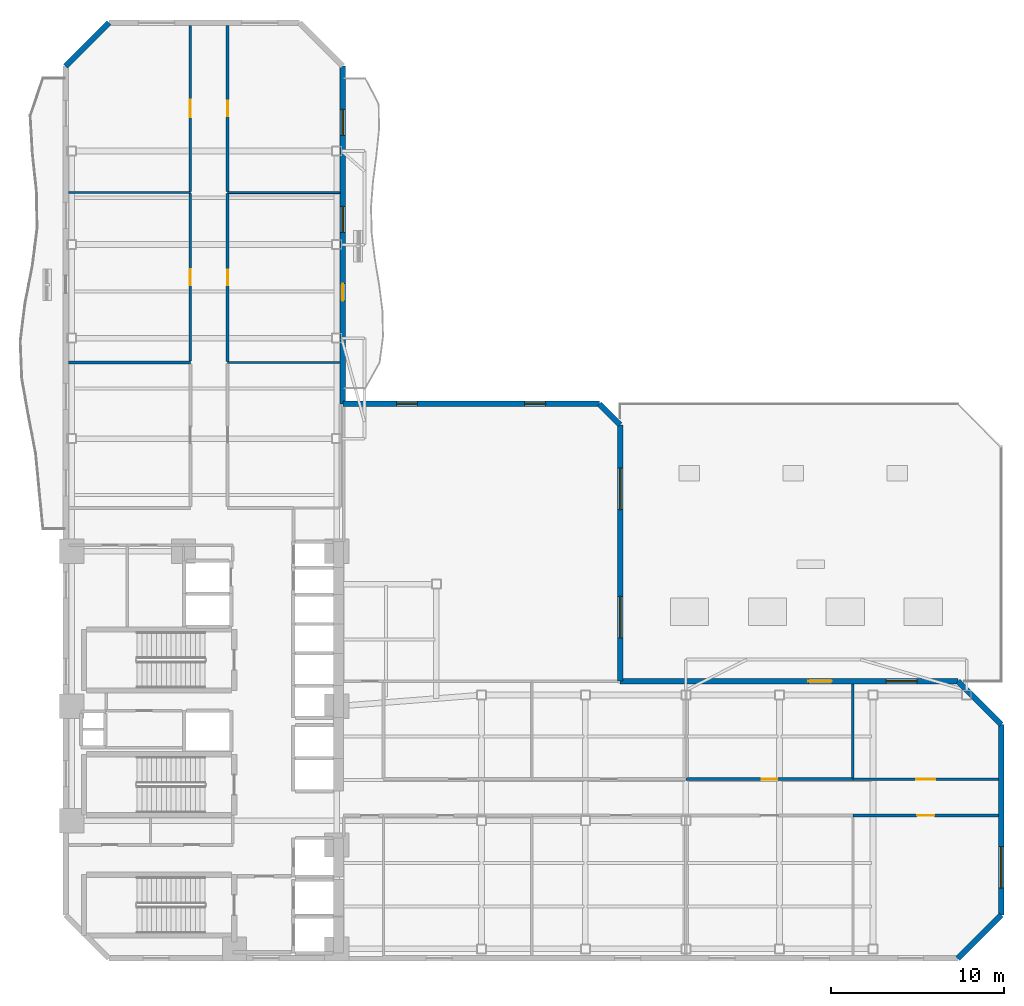
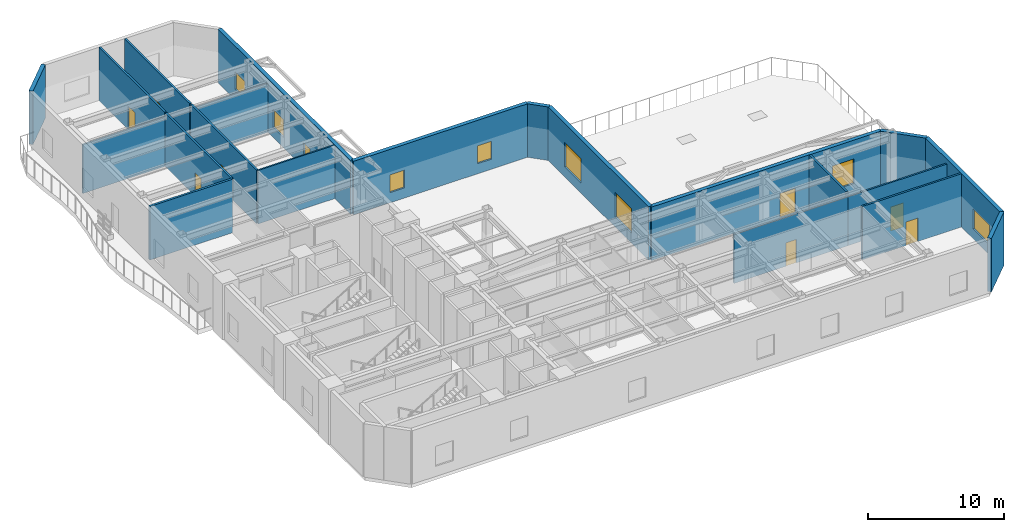
# One storey, part 6 of 10: 21 walls, 9 doors, 8 windows, 17 openings.
"""IFC4 building model written with IfcOpenShell, lengths in metres."""

from ifc_helpers import new_model, si_unit, direction, frame, frame_2d, origin, place, context, subcontext, project, spatial, rectangle, extrude, material, layer, layer_set, type_object, element, fill, save


model = new_model("IFC4")

# Units and contexts
model_context = context("Model", 3, precision=1e-05, world=origin(), true_north=direction((0.0, 1.0)))
body_context = subcontext(model_context, "Body", "Model", "MODEL_VIEW")
ifc_project = project(units=[si_unit("LENGTHUNIT", "METRE"), si_unit("AREAUNIT", "SQUARE_METRE"), si_unit("VOLUMEUNIT", "CUBIC_METRE"), si_unit("PLANEANGLEUNIT", "RADIAN"), si_unit("MASSUNIT", "GRAM", prefix="KILO")], contexts=[model_context])

# Site, building, storey
site_placement = place(None, origin())
site = spatial("IfcSite", under=ifc_project, at=site_placement, CompositionType="ELEMENT")
building_placement = place(site_placement, origin())
building = spatial("IfcBuilding", under=site, at=building_placement, Name="Mawjaban Terraces University", CompositionType="ELEMENT")
storey_placement = place(building_placement, frame((0.0, 0.0, 26.0)))
storey = spatial("IfcBuildingStorey", under=building, at=storey_placement, Name="L05", CompositionType="ELEMENT", Elevation=26.0)

# Wall
ifc_material_1 = material(Name="Acoustic masonry blockwork", Category="masonry")
ifc_layer_1 = layer(ifc_material_1, 0.179931640625)
ifc_layer_set_1 = layer_set([ifc_layer_1], Name="Acoustic masonry blockwork")
wall_type_1 = type_object("IfcWallType", Name="AcousticStudioWall_180", PredefinedType="PARTITIONING", material=ifc_layer_set_1)
wall_1_placement = place(storey_placement, frame((29.199951171875, 34.39990234375, 0.0), z_axis=(0.0, 0.0, 1.0), x_axis=(-1.0, 0.0, 0.0)))
element("IfcWall", 1, at=wall_1_placement, inside=storey, type_object=wall_type_1, Name="L05 Design Studio 10 Partition 8", PredefinedType="PARTITIONING", context=body_context, shape_type="SweptSolid", body=[
    extrude(rectangle(XDim=7.044921875, YDim=0.179931640625, at=frame_2d((3.5224609375, 0.0))), origin(), (0.0, 0.0, 1.0), 4.7900390625),
])

# Wall, opening, door
ifc_material_2 = material(Name="Fire-rated gypsum board on steel stud", Category="steel")
ifc_layer_2 = layer(ifc_material_2, 0.159912109375)
ifc_layer_set_2 = layer_set([ifc_layer_2], Name="Fire-rated gypsum board on steel stud")
wall_type_2 = type_object("IfcWallType", Name="CorridorPartition_160", PredefinedType="PARTITIONING", material=ifc_layer_set_2)
wall_2_placement = place(storey_placement, frame((67.43994140625, 8.25, 0.0), z_axis=(0.0, 0.0, 1.0), x_axis=(1.0, 0.0, 0.0)))
wall_2 = element("IfcWall", 2, at=wall_2_placement, inside=storey, type_object=wall_type_2, Name="L05 East Academic Spine Corridor Partition 26", PredefinedType="PARTITIONING", context=body_context, shape_type="SweptSolid", body=[
    extrude(rectangle(XDim=8.405029296875, YDim=0.159912109375, at=frame_2d((4.20263671875, 0.0))), origin(), (0.0, 0.0, 1.0), 4.7900390625),
])
opening_1_placement = place(wall_2_placement, frame((3.702880859375, 0.0, 0.0)))
opening_1 = element("IfcOpeningElement", 3, at=opening_1_placement, cuts=wall_2, Name="Opening ID-100", PredefinedType="OPENING", context=body_context, shape_type="SweptSolid", body=[
    extrude(rectangle(XDim=1.0, YDim=2.10009765625, at=frame_2d((0.5, 1.050048828125))), frame((0.0, 0.08984375, 0.0), z_axis=(0.0, -1.0, 0.0), x_axis=(1.0, 0.0, 0.0)), (0.0, 0.0, 1.0), 0.179931640625),
])
ifc_material_3 = material(Name="Powder-coated steel frame and solid acoustic timber leaf", Category="steel")
door_type_1 = type_object("IfcDoorType", Name="ClassroomDoor_1000x2100", OperationType="NOTDEFINED", PredefinedType="DOOR", material=ifc_material_3)
door_1_placement = place(opening_1_placement, origin())
door_1 = element("IfcDoor", 4, at=door_1_placement, inside=storey, type_object=door_type_1, Name="L05 Classroom 8 Door", OperationType="SINGLE_SWING_LEFT", OverallHeight=2.10009765625, OverallWidth=1.0, PredefinedType="DOOR", context=body_context, shape_type="SweptSolid", body=[
    extrude(rectangle(XDim=1.0, YDim=2.10009765625, at=frame_2d((0.5, 1.050048828125))), frame((0.0, 0.02490234375, 0.0), z_axis=(0.0, -1.0, 0.0), x_axis=(1.0, 0.0, 0.0)), (0.0, 0.0, 1.0), 0.050048828125),
])
fill(opening_1, door_1)

wall_3_placement = place(storey_placement, frame((67.43994140625, 10.35009765625, 0.0), z_axis=(0.0, 0.0, 1.0), x_axis=(-1.0, 0.0, 0.0)))
wall_3 = element("IfcWall", 5, at=wall_3_placement, inside=storey, type_object=wall_type_2, Name="L05 East Academic Spine Corridor Partition 27", PredefinedType="PARTITIONING", context=body_context, shape_type="SweptSolid", body=[
    extrude(rectangle(XDim=9.639892578125, YDim=0.159912109375, at=frame_2d((4.81982421875, 0.0))), origin(), (0.0, 0.0, 1.0), 4.376953125),
])
opening_2_placement = place(wall_3_placement, frame((4.3701171875, 0.0, 0.0)))
opening_2 = element("IfcOpeningElement", 6, at=opening_2_placement, cuts=wall_3, Name="Opening ID-090", PredefinedType="OPENING", context=body_context, shape_type="SweptSolid", body=[
    extrude(rectangle(XDim=0.89990234375, YDim=2.10009765625, at=frame_2d((0.449951171875, 1.050048828125))), frame((0.0, 0.08984375, 0.0), z_axis=(0.0, -1.0, 0.0), x_axis=(1.0, 0.0, 0.0)), (0.0, 0.0, 1.0), 0.179931640625),
])
door_type_2 = type_object("IfcDoorType", Name="OfficeDoor_900x2100", OperationType="NOTDEFINED", PredefinedType="DOOR", material=ifc_material_3)
door_2_placement = place(opening_2_placement, origin())
door_2 = element("IfcDoor", 7, at=door_2_placement, inside=storey, type_object=door_type_2, Name="L05 Faculty Office 7 Door", OperationType="SINGLE_SWING_RIGHT", OverallHeight=2.10009765625, OverallWidth=0.89990234375, PredefinedType="DOOR", context=body_context, shape_type="SweptSolid", body=[
    extrude(rectangle(XDim=0.89990234375, YDim=2.10009765625, at=frame_2d((0.449951171875, 1.050048828125))), frame((0.0, 0.02490234375, 0.0), z_axis=(0.0, -1.0, 0.0), x_axis=(1.0, 0.0, 0.0)), (0.0, 0.0, 1.0), 0.050048828125),
])
fill(opening_2, door_2)

wall_4_placement = place(storey_placement, frame((29.199951171875, 44.14306640625, 0.0), z_axis=(0.0, 0.0, 1.0), x_axis=(0.0, -1.0, 0.0)))
wall_4 = element("IfcWall", 8, at=wall_4_placement, inside=storey, type_object=wall_type_2, Name="L05 North Academic Spine Corridor Partition 34", PredefinedType="PARTITIONING", context=body_context, shape_type="SweptSolid", body=[
    extrude(rectangle(XDim=9.657958984375, YDim=0.159912109375, at=frame_2d((4.8291015625, 0.0))), origin(), (0.0, 0.0, 1.0), 4.7900390625),
])
opening_3_placement = place(wall_4_placement, frame((4.37890625, 0.0, 0.0)))
opening_3 = element("IfcOpeningElement", 9, at=opening_3_placement, cuts=wall_4, Name="Opening ID-090", PredefinedType="OPENING", context=body_context, shape_type="SweptSolid", body=[
    extrude(rectangle(XDim=0.89990234375, YDim=2.10009765625, at=frame_2d((0.449951171875, 1.050048828125))), frame((0.0, 0.08984375, 0.0), z_axis=(0.0, -1.0, 0.0), x_axis=(1.0, 0.0, 0.0)), (0.0, 0.0, 1.0), 0.179931640625),
])
door_3_placement = place(opening_3_placement, origin())
door_3 = element("IfcDoor", 10, at=door_3_placement, inside=storey, type_object=door_type_2, Name="L05 Quiet Reading Room 12 Door", OperationType="SINGLE_SWING_LEFT", OverallHeight=2.10009765625, OverallWidth=0.89990234375, PredefinedType="DOOR", context=body_context, shape_type="SweptSolid", body=[
    extrude(rectangle(XDim=0.89990234375, YDim=2.10009765625, at=frame_2d((0.449951171875, 1.050048828125))), frame((0.0, 0.02490234375, 0.0), z_axis=(0.0, -1.0, 0.0), x_axis=(1.0, 0.0, 0.0)), (0.0, 0.0, 1.0), 0.050048828125),
])
fill(opening_3, door_3)

wall_5_placement = place(storey_placement, frame((29.199951171875, 53.844970703125, 0.0), z_axis=(0.0, 0.0, 1.0), x_axis=(0.0, -1.0, 0.0)))
wall_5 = element("IfcWall", 11, at=wall_5_placement, inside=storey, type_object=wall_type_2, Name="L05 North Academic Spine Corridor Partition 35", PredefinedType="PARTITIONING", context=body_context, shape_type="SweptSolid", body=[
    extrude(rectangle(XDim=9.5869140625, YDim=0.159912109375, at=frame_2d((4.79345703125, 0.0))), origin(), (0.0, 0.0, 1.0), 4.7900390625),
])
opening_4_placement = place(wall_5_placement, frame((4.29296875, 0.0, 0.0)))
opening_4 = element("IfcOpeningElement", 12, at=opening_4_placement, cuts=wall_5, Name="Opening ID-100", PredefinedType="OPENING", context=body_context, shape_type="SweptSolid", body=[
    extrude(rectangle(XDim=1.0, YDim=2.10009765625, at=frame_2d((0.5, 1.050048828125))), frame((0.0, 0.08984375, 0.0), z_axis=(0.0, -1.0, 0.0), x_axis=(1.0, 0.0, 0.0)), (0.0, 0.0, 1.0), 0.179931640625),
])
door_4_placement = place(opening_4_placement, origin())
door_4 = element("IfcDoor", 13, at=door_4_placement, inside=storey, type_object=door_type_1, Name="L05 Classroom 14 Door", OperationType="SINGLE_SWING_LEFT", OverallHeight=2.10009765625, OverallWidth=1.0, PredefinedType="DOOR", context=body_context, shape_type="SweptSolid", body=[
    extrude(rectangle(XDim=1.0, YDim=2.10009765625, at=frame_2d((0.5, 1.050048828125))), frame((0.0, 0.02490234375, 0.0), z_axis=(0.0, -1.0, 0.0), x_axis=(1.0, 0.0, 0.0)), (0.0, 0.0, 1.0), 0.050048828125),
])
fill(opening_4, door_4)

wall_6_placement = place(storey_placement, frame((31.35009765625, 34.45703125, 0.0), z_axis=(0.0, 0.0, 1.0), x_axis=(0.0, 1.0, 0.0)))
wall_6 = element("IfcWall", 14, at=wall_6_placement, inside=storey, type_object=wall_type_2, Name="L05 North Academic Spine Corridor Partition 37", PredefinedType="PARTITIONING", context=body_context, shape_type="SweptSolid", body=[
    extrude(rectangle(XDim=9.69287109375, YDim=0.159912109375, at=frame_2d((4.846435546875, 0.0))), origin(), (0.0, 0.0, 1.0), 4.7900390625),
])
opening_5_placement = place(wall_6_placement, frame((4.39599609375, 0.0, 0.0)))
opening_5 = element("IfcOpeningElement", 15, at=opening_5_placement, cuts=wall_6, Name="Opening ID-090", PredefinedType="OPENING", context=body_context, shape_type="SweptSolid", body=[
    extrude(rectangle(XDim=0.89990234375, YDim=2.10009765625, at=frame_2d((0.449951171875, 1.050048828125))), frame((0.0, 0.08984375, 0.0), z_axis=(0.0, -1.0, 0.0), x_axis=(1.0, 0.0, 0.0)), (0.0, 0.0, 1.0), 0.179931640625),
])
door_5_placement = place(opening_5_placement, origin())
door_5 = element("IfcDoor", 16, at=door_5_placement, inside=storey, type_object=door_type_2, Name="L05 Collaborative Study Room 13 Door", OperationType="SINGLE_SWING_RIGHT", OverallHeight=2.10009765625, OverallWidth=0.89990234375, PredefinedType="DOOR", context=body_context, shape_type="SweptSolid", body=[
    extrude(rectangle(XDim=0.89990234375, YDim=2.10009765625, at=frame_2d((0.449951171875, 1.050048828125))), frame((0.0, 0.02490234375, 0.0), z_axis=(0.0, -1.0, 0.0), x_axis=(1.0, 0.0, 0.0)), (0.0, 0.0, 1.0), 0.050048828125),
])
fill(opening_5, door_5)

wall_7_placement = place(storey_placement, frame((31.35009765625, 44.25, 0.0), z_axis=(0.0, 0.0, 1.0), x_axis=(0.0, 1.0, 0.0)))
wall_7 = element("IfcWall", 17, at=wall_7_placement, inside=storey, type_object=wall_type_2, Name="L05 North Academic Spine Corridor Partition 38", PredefinedType="PARTITIONING", context=body_context, shape_type="SweptSolid", body=[
    extrude(rectangle(XDim=9.594970703125, YDim=0.159912109375, at=frame_2d((4.79736328125, 0.0))), origin(), (0.0, 0.0, 1.0), 4.7900390625),
])
opening_6_placement = place(wall_7_placement, frame((4.346923828125, 0.0, 0.0)))
opening_6 = element("IfcOpeningElement", 18, at=opening_6_placement, cuts=wall_7, Name="Opening ID-090", PredefinedType="OPENING", context=body_context, shape_type="SweptSolid", body=[
    extrude(rectangle(XDim=0.89990234375, YDim=2.10009765625, at=frame_2d((0.449951171875, 1.050048828125))), frame((0.0, 0.08984375, 0.0), z_axis=(0.0, -1.0, 0.0), x_axis=(1.0, 0.0, 0.0)), (0.0, 0.0, 1.0), 0.179931640625),
])
door_6_placement = place(opening_6_placement, origin())
door_6 = element("IfcDoor", 19, at=door_6_placement, inside=storey, type_object=door_type_2, Name="L05 Seminar Room 15 Door", OperationType="SINGLE_SWING_RIGHT", OverallHeight=2.10009765625, OverallWidth=0.89990234375, PredefinedType="DOOR", context=body_context, shape_type="SweptSolid", body=[
    extrude(rectangle(XDim=0.89990234375, YDim=2.10009765625, at=frame_2d((0.449951171875, 1.050048828125))), frame((0.0, 0.02490234375, 0.0), z_axis=(0.0, -1.0, 0.0), x_axis=(1.0, 0.0, 0.0)), (0.0, 0.0, 1.0), 0.050048828125),
])
fill(opening_6, door_6)

# Wall
ifc_material_4 = material(Name="Insulated terracotta rainscreen on concrete backup C40/50", Category="masonry")
ifc_layer_3 = layer(ifc_material_4, 0.320068359375)
ifc_layer_set_3 = layer_set([ifc_layer_3], Name="Insulated terracotta rainscreen on concrete backup C40/50")
wall_type_3 = type_object("IfcWallType", Name="ExtTerracottaWall_320", PredefinedType="SOLIDWALL", material=ifc_layer_set_3)
wall_8_placement = place(storey_placement, frame((73.5, 0.0, 0.0), z_axis=(0.0, 0.0, 1.0), x_axis=(0.707106781187, 0.707106781187, 0.0)))
element("IfcWall", 20, at=wall_8_placement, inside=storey, type_object=wall_type_3, Name="L05 Exterior Terracotta Wall 2", PredefinedType="SOLIDWALL", context=body_context, shape_type="SweptSolid", body=[
    extrude(rectangle(XDim=3.53564453125, YDim=0.320068359375, at=frame_2d((1.767822265625, 0.0))), origin(), (0.0, 0.0, 1.0), 4.7900390625),
])

# Wall, opening, window
wall_9_placement = place(storey_placement, frame((76.0, 2.5, 0.0), z_axis=(0.0, 0.0, 1.0), x_axis=(0.0, 1.0, 0.0)))
wall_9 = element("IfcWall", 21, at=wall_9_placement, inside=storey, type_object=wall_type_3, Name="L05 Exterior Terracotta Wall 3", PredefinedType="SOLIDWALL", context=body_context, shape_type="SweptSolid", body=[
    extrude(rectangle(XDim=11.0, YDim=0.320068359375, at=frame_2d((5.5, 0.0))), origin(), (0.0, 0.0, 1.0), 4.7900390625),
])
opening_7_placement = place(wall_9_placement, frame((1.550048828125, 0.0, 0.89990234375)))
opening_7 = element("IfcOpeningElement", 22, at=opening_7_placement, cuts=wall_9, Name="Opening W-08", PredefinedType="OPENING", context=body_context, shape_type="SweptSolid", body=[
    extrude(rectangle(XDim=2.39990234375, YDim=1.800048828125, at=frame_2d((1.199951171875, 0.89990234375))), frame((0.0, 0.169921875, 0.0), z_axis=(0.0, -1.0, 0.0), x_axis=(1.0, 0.0, 0.0)), (0.0, 0.0, 1.0), 0.340087890625),
])
ifc_material_5 = material(Name="Low-E solar-control double glazing in thermally broken aluminium frame", Category="aluminium")
window_type_1 = type_object("IfcWindowType", Name="Win_2400x1800", PartitioningType="SINGLE_PANEL", PredefinedType="WINDOW", material=ifc_material_5)
window_1_placement = place(opening_7_placement, origin())
window_1 = element("IfcWindow", 23, at=window_1_placement, inside=storey, type_object=window_type_1, Name="L05 Facade Window 3.1", OverallHeight=1.800048828125, OverallWidth=2.39990234375, PartitioningType="SINGLE_PANEL", PredefinedType="WINDOW", context=body_context, shape_type="SweptSolid", body=[
    extrude(rectangle(XDim=2.39990234375, YDim=1.800048828125, at=frame_2d((1.199951171875, 0.89990234375))), frame((0.0, 0.030029296875, 0.0), z_axis=(0.0, -1.0, 0.0), x_axis=(1.0, 0.0, 0.0)), (0.0, 0.0, 1.0), 0.06005859375),
])
fill(opening_7, window_1)

# Wall
wall_10_placement = place(storey_placement, frame((76.0, 13.5, 0.0), z_axis=(0.0, 0.0, 1.0), x_axis=(-0.707106781187, 0.707106781187, 0.0)))
element("IfcWall", 24, at=wall_10_placement, inside=storey, type_object=wall_type_3, Name="L05 Exterior Terracotta Wall 4", PredefinedType="SOLIDWALL", context=body_context, shape_type="SweptSolid", body=[
    extrude(rectangle(XDim=3.53564453125, YDim=0.320068359375, at=frame_2d((1.767822265625, 0.0))), origin(), (0.0, 0.0, 1.0), 4.7900390625),
])

# Wall, openings, door, window
wall_11_placement = place(storey_placement, frame((73.5, 16.0, 0.0), z_axis=(0.0, 0.0, 1.0), x_axis=(-1.0, 0.0, 0.0)))
wall_11 = element("IfcWall", 25, at=wall_11_placement, inside=storey, type_object=wall_type_3, Name="L05 Exterior Terracotta Wall 5", PredefinedType="SOLIDWALL", context=body_context, shape_type="SweptSolid", body=[
    extrude(rectangle(XDim=19.5, YDim=0.320068359375, at=frame_2d((9.75, 0.0))), origin(), (0.0, 0.0, 1.0), 4.7900390625),
])
opening_8_placement = place(wall_11_placement, frame((7.27490234375, 0.0, 0.0)))
opening_8 = element("IfcOpeningElement", 26, at=opening_8_placement, cuts=wall_11, Name="Opening TD-135", PredefinedType="OPENING", context=body_context, shape_type="SweptSolid", body=[
    extrude(rectangle(XDim=1.35009765625, YDim=2.199951171875, at=frame_2d((0.675048828125, 1.10009765625))), frame((0.0, 0.169921875, 0.0), z_axis=(0.0, -1.0, 0.0), x_axis=(1.0, 0.0, 0.0)), (0.0, 0.0, 1.0), 0.340087890625),
])
opening_9_placement = place(wall_11_placement, frame((2.35009765625, 0.0, 0.89990234375)))
opening_9 = element("IfcOpeningElement", 27, at=opening_9_placement, cuts=wall_11, Name="Opening W-10", PredefinedType="OPENING", context=body_context, shape_type="SweptSolid", body=[
    extrude(rectangle(XDim=1.800048828125, YDim=2.199951171875, at=frame_2d((0.89990234375, 1.10009765625))), frame((0.0, 0.169921875, 0.0), z_axis=(0.0, -1.0, 0.0), x_axis=(1.0, 0.0, 0.0)), (0.0, 0.0, 1.0), 0.340087890625),
])
ifc_material_6 = material(Name="Thermally broken anodised aluminium and laminated safety glass", Category="aluminium")
door_type_3 = type_object("IfcDoorType", Name="TerraceGlazedDoor_1350x2200", OperationType="NOTDEFINED", PredefinedType="DOOR", material=ifc_material_6)
door_7_placement = place(opening_8_placement, origin())
door_7 = element("IfcDoor", 28, at=door_7_placement, inside=storey, type_object=door_type_3, Name="L05 Terrace Access Door TER-L05-POD", OperationType="SINGLE_SWING_LEFT", OverallHeight=2.199951171875, OverallWidth=1.35009765625, PredefinedType="DOOR", context=body_context, shape_type="SweptSolid", body=[
    extrude(rectangle(XDim=1.35009765625, YDim=2.199951171875, at=frame_2d((0.675048828125, 1.10009765625))), frame((0.0, 0.02490234375, 0.0), z_axis=(0.0, -1.0, 0.0), x_axis=(1.0, 0.0, 0.0)), (0.0, 0.0, 1.0), 0.050048828125),
])
fill(opening_8, door_7)
window_type_2 = type_object("IfcWindowType", Name="Win_1800x2200", PartitioningType="SINGLE_PANEL", PredefinedType="WINDOW", material=ifc_material_5)
window_2_placement = place(opening_9_placement, origin())
window_2 = element("IfcWindow", 29, at=window_2_placement, inside=storey, type_object=window_type_2, Name="L05 Facade Window 5.1", OverallHeight=2.199951171875, OverallWidth=1.800048828125, PartitioningType="SINGLE_PANEL", PredefinedType="WINDOW", context=body_context, shape_type="SweptSolid", body=[
    extrude(rectangle(XDim=1.800048828125, YDim=2.199951171875, at=frame_2d((0.89990234375, 1.10009765625))), frame((0.0, 0.030029296875, 0.0), z_axis=(0.0, -1.0, 0.0), x_axis=(1.0, 0.0, 0.0)), (0.0, 0.0, 1.0), 0.06005859375),
])
fill(opening_9, window_2)

# Wall, openings, windows
wall_12_placement = place(storey_placement, frame((54.0, 16.0, 0.0), z_axis=(0.0, 0.0, 1.0), x_axis=(0.0, 1.0, 0.0)))
wall_12 = element("IfcWall", 30, at=wall_12_placement, inside=storey, type_object=wall_type_3, Name="L05 Exterior Terracotta Wall 6", PredefinedType="SOLIDWALL", context=body_context, shape_type="SweptSolid", body=[
    extrude(rectangle(XDim=14.800048828125, YDim=0.320068359375, at=frame_2d((7.39990234375, 0.0))), origin(), (0.0, 0.0, 1.0), 4.7900390625),
])
opening_10_placement = place(wall_12_placement, frame((2.5, 0.0, 0.89990234375)))
opening_10 = element("IfcOpeningElement", 31, at=opening_10_placement, cuts=wall_12, Name="Opening W-11", PredefinedType="OPENING", context=body_context, shape_type="SweptSolid", body=[
    extrude(rectangle(XDim=2.39990234375, YDim=2.199951171875, at=frame_2d((1.199951171875, 1.10009765625))), frame((0.0, 0.169921875, 0.0), z_axis=(0.0, -1.0, 0.0), x_axis=(1.0, 0.0, 0.0)), (0.0, 0.0, 1.0), 0.340087890625),
])
opening_11_placement = place(wall_12_placement, frame((9.89990234375, 0.0, 0.89990234375)))
opening_11 = element("IfcOpeningElement", 32, at=opening_11_placement, cuts=wall_12, Name="Opening W-11", PredefinedType="OPENING", context=body_context, shape_type="SweptSolid", body=[
    extrude(rectangle(XDim=2.39990234375, YDim=2.199951171875, at=frame_2d((1.199951171875, 1.10009765625))), frame((0.0, 0.169921875, 0.0), z_axis=(0.0, -1.0, 0.0), x_axis=(1.0, 0.0, 0.0)), (0.0, 0.0, 1.0), 0.340087890625),
])
window_type_3 = type_object("IfcWindowType", Name="Win_2400x2200", PartitioningType="SINGLE_PANEL", PredefinedType="WINDOW", material=ifc_material_5)
window_3_placement = place(opening_10_placement, origin())
window_3 = element("IfcWindow", 33, at=window_3_placement, inside=storey, type_object=window_type_3, Name="L05 Facade Window 6.1", OverallHeight=2.199951171875, OverallWidth=2.39990234375, PartitioningType="SINGLE_PANEL", PredefinedType="WINDOW", context=body_context, shape_type="SweptSolid", body=[
    extrude(rectangle(XDim=2.39990234375, YDim=2.199951171875, at=frame_2d((1.199951171875, 1.10009765625))), frame((0.0, 0.030029296875, 0.0), z_axis=(0.0, -1.0, 0.0), x_axis=(1.0, 0.0, 0.0)), (0.0, 0.0, 1.0), 0.06005859375),
])
fill(opening_10, window_3)
window_4_placement = place(opening_11_placement, origin())
window_4 = element("IfcWindow", 34, at=window_4_placement, inside=storey, type_object=window_type_3, Name="L05 Facade Window 6.2", OverallHeight=2.199951171875, OverallWidth=2.39990234375, PartitioningType="SINGLE_PANEL", PredefinedType="WINDOW", context=body_context, shape_type="SweptSolid", body=[
    extrude(rectangle(XDim=2.39990234375, YDim=2.199951171875, at=frame_2d((1.199951171875, 1.10009765625))), frame((0.0, 0.030029296875, 0.0), z_axis=(0.0, -1.0, 0.0), x_axis=(1.0, 0.0, 0.0)), (0.0, 0.0, 1.0), 0.06005859375),
])
fill(opening_11, window_4)

# Wall
wall_13_placement = place(storey_placement, frame((54.0, 30.800048828125, 0.0), z_axis=(0.0, 0.0, 1.0), x_axis=(-0.707106781187, 0.707106781187, 0.0)))
element("IfcWall", 35, at=wall_13_placement, inside=storey, type_object=wall_type_3, Name="L05 Exterior Terracotta Wall 7", PredefinedType="SOLIDWALL", context=body_context, shape_type="SweptSolid", body=[
    extrude(rectangle(XDim=1.697021484375, YDim=0.320068359375, at=frame_2d((0.8486328125, 0.0))), origin(), (0.0, 0.0, 1.0), 4.7900390625),
])

# Wall, openings, windows
wall_14_placement = place(storey_placement, frame((52.800048828125, 32.0, 0.0), z_axis=(0.0, 0.0, 1.0), x_axis=(-1.0, 0.0, 0.0)))
wall_14 = element("IfcWall", 36, at=wall_14_placement, inside=storey, type_object=wall_type_3, Name="L05 Exterior Terracotta Wall 8", PredefinedType="SOLIDWALL", context=body_context, shape_type="SweptSolid", body=[
    extrude(rectangle(XDim=14.800048828125, YDim=0.320068359375, at=frame_2d((7.39990234375, 0.0))), origin(), (0.0, 0.0, 1.0), 4.7900390625),
])
opening_12_placement = place(wall_14_placement, frame((3.10009765625, 0.0, 0.89990234375)))
opening_12 = element("IfcOpeningElement", 37, at=opening_12_placement, cuts=wall_14, Name="Opening W-01", PredefinedType="OPENING", context=body_context, shape_type="SweptSolid", body=[
    extrude(rectangle(XDim=1.199951171875, YDim=1.60009765625, at=frame_2d((0.60009765625, 0.800048828125))), frame((0.0, 0.169921875, 0.0), z_axis=(0.0, -1.0, 0.0), x_axis=(1.0, 0.0, 0.0)), (0.0, 0.0, 1.0), 0.340087890625),
])
opening_13_placement = place(wall_14_placement, frame((10.5, 0.0, 0.89990234375)))
opening_13 = element("IfcOpeningElement", 38, at=opening_13_placement, cuts=wall_14, Name="Opening W-01", PredefinedType="OPENING", context=body_context, shape_type="SweptSolid", body=[
    extrude(rectangle(XDim=1.199951171875, YDim=1.60009765625, at=frame_2d((0.60009765625, 0.800048828125))), frame((0.0, 0.169921875, 0.0), z_axis=(0.0, -1.0, 0.0), x_axis=(1.0, 0.0, 0.0)), (0.0, 0.0, 1.0), 0.340087890625),
])
window_type_4 = type_object("IfcWindowType", Name="Win_1200x1600", PartitioningType="SINGLE_PANEL", PredefinedType="WINDOW", material=ifc_material_5)
window_5_placement = place(opening_12_placement, origin())
window_5 = element("IfcWindow", 39, at=window_5_placement, inside=storey, type_object=window_type_4, Name="L05 Facade Window 8.1", OverallHeight=1.60009765625, OverallWidth=1.199951171875, PartitioningType="SINGLE_PANEL", PredefinedType="WINDOW", context=body_context, shape_type="SweptSolid", body=[
    extrude(rectangle(XDim=1.199951171875, YDim=1.60009765625, at=frame_2d((0.60009765625, 0.800048828125))), frame((0.0, 0.030029296875, 0.0), z_axis=(0.0, -1.0, 0.0), x_axis=(1.0, 0.0, 0.0)), (0.0, 0.0, 1.0), 0.06005859375),
])
fill(opening_12, window_5)
window_6_placement = place(opening_13_placement, origin())
window_6 = element("IfcWindow", 40, at=window_6_placement, inside=storey, type_object=window_type_4, Name="L05 Facade Window 8.2", OverallHeight=1.60009765625, OverallWidth=1.199951171875, PartitioningType="SINGLE_PANEL", PredefinedType="WINDOW", context=body_context, shape_type="SweptSolid", body=[
    extrude(rectangle(XDim=1.199951171875, YDim=1.60009765625, at=frame_2d((0.60009765625, 0.800048828125))), frame((0.0, 0.030029296875, 0.0), z_axis=(0.0, -1.0, 0.0), x_axis=(1.0, 0.0, 0.0)), (0.0, 0.0, 1.0), 0.06005859375),
])
fill(opening_13, window_6)

# Wall, openings, door, windows
wall_15_placement = place(storey_placement, frame((38.0, 32.0, 0.0), z_axis=(0.0, 0.0, 1.0), x_axis=(0.0, 1.0, 0.0)))
wall_15 = element("IfcWall", 41, at=wall_15_placement, inside=storey, type_object=wall_type_3, Name="L05 Exterior Terracotta Wall 9", PredefinedType="SOLIDWALL", context=body_context, shape_type="SweptSolid", body=[
    extrude(rectangle(XDim=19.5, YDim=0.320068359375, at=frame_2d((9.75, 0.0))), origin(), (0.0, 0.0, 1.0), 4.7900390625),
])
opening_14_placement = place(wall_15_placement, frame((5.949951171875, 0.0, 0.0)))
opening_14 = element("IfcOpeningElement", 42, at=opening_14_placement, cuts=wall_15, Name="Opening BD-100", PredefinedType="OPENING", context=body_context, shape_type="SweptSolid", body=[
    extrude(rectangle(XDim=1.0, YDim=2.199951171875, at=frame_2d((0.5, 1.10009765625))), frame((0.0, 0.169921875, 0.0), z_axis=(0.0, -1.0, 0.0), x_axis=(1.0, 0.0, 0.0)), (0.0, 0.0, 1.0), 0.340087890625),
])
opening_15_placement = place(wall_15_placement, frame((9.89990234375, 0.0, 0.89990234375)))
opening_15 = element("IfcOpeningElement", 43, at=opening_15_placement, cuts=wall_15, Name="Opening W-02", PredefinedType="OPENING", context=body_context, shape_type="SweptSolid", body=[
    extrude(rectangle(XDim=1.5, YDim=1.60009765625, at=frame_2d((0.75, 0.800048828125))), frame((0.0, 0.169921875, 0.0), z_axis=(0.0, -1.0, 0.0), x_axis=(1.0, 0.0, 0.0)), (0.0, 0.0, 1.0), 0.340087890625),
])
opening_16_placement = place(wall_15_placement, frame((15.5, 0.0, 0.89990234375)))
opening_16 = element("IfcOpeningElement", 44, at=opening_16_placement, cuts=wall_15, Name="Opening W-02", PredefinedType="OPENING", context=body_context, shape_type="SweptSolid", body=[
    extrude(rectangle(XDim=1.5, YDim=1.60009765625, at=frame_2d((0.75, 0.800048828125))), frame((0.0, 0.169921875, 0.0), z_axis=(0.0, -1.0, 0.0), x_axis=(1.0, 0.0, 0.0)), (0.0, 0.0, 1.0), 0.340087890625),
])
door_type_4 = type_object("IfcDoorType", Name="BalconyGlazedDoor_1000x2200", OperationType="NOTDEFINED", PredefinedType="DOOR", material=ifc_material_6)
door_8_placement = place(opening_14_placement, origin())
door_8 = element("IfcDoor", 45, at=door_8_placement, inside=storey, type_object=door_type_4, Name="L05 Balcony Access Door inner_east", OperationType="SINGLE_SWING_RIGHT", OverallHeight=2.199951171875, OverallWidth=1.0, PredefinedType="DOOR", context=body_context, shape_type="SweptSolid", body=[
    extrude(rectangle(XDim=1.0, YDim=2.199951171875, at=frame_2d((0.5, 1.10009765625))), frame((0.0, 0.02490234375, 0.0), z_axis=(0.0, -1.0, 0.0), x_axis=(1.0, 0.0, 0.0)), (0.0, 0.0, 1.0), 0.050048828125),
])
fill(opening_14, door_8)
window_type_5 = type_object("IfcWindowType", Name="Win_1500x1600", PartitioningType="SINGLE_PANEL", PredefinedType="WINDOW", material=ifc_material_5)
window_7_placement = place(opening_15_placement, origin())
window_7 = element("IfcWindow", 46, at=window_7_placement, inside=storey, type_object=window_type_5, Name="L05 Facade Window 9.2", OverallHeight=1.60009765625, OverallWidth=1.5, PartitioningType="SINGLE_PANEL", PredefinedType="WINDOW", context=body_context, shape_type="SweptSolid", body=[
    extrude(rectangle(XDim=1.5, YDim=1.60009765625, at=frame_2d((0.75, 0.800048828125))), frame((0.0, 0.030029296875, 0.0), z_axis=(0.0, -1.0, 0.0), x_axis=(1.0, 0.0, 0.0)), (0.0, 0.0, 1.0), 0.06005859375),
])
fill(opening_15, window_7)
window_8_placement = place(opening_16_placement, origin())
window_8 = element("IfcWindow", 47, at=window_8_placement, inside=storey, type_object=window_type_5, Name="L05 Facade Window 9.3", OverallHeight=1.60009765625, OverallWidth=1.5, PartitioningType="SINGLE_PANEL", PredefinedType="WINDOW", context=body_context, shape_type="SweptSolid", body=[
    extrude(rectangle(XDim=1.5, YDim=1.60009765625, at=frame_2d((0.75, 0.800048828125))), frame((0.0, 0.030029296875, 0.0), z_axis=(0.0, -1.0, 0.0), x_axis=(1.0, 0.0, 0.0)), (0.0, 0.0, 1.0), 0.06005859375),
])
fill(opening_16, window_8)

# Wall
wall_16_placement = place(storey_placement, frame((24.5, 54.0, 0.0), z_axis=(0.0, 0.0, 1.0), x_axis=(-0.707106781187, -0.707106781187, 0.0)))
element("IfcWall", 48, at=wall_16_placement, inside=storey, type_object=wall_type_3, Name="L05 Exterior Terracotta Wall 12", PredefinedType="SOLIDWALL", context=body_context, shape_type="SweptSolid", body=[
    extrude(rectangle(XDim=3.53564453125, YDim=0.320068359375, at=frame_2d((1.767822265625, 0.0))), origin(), (0.0, 0.0, 1.0), 4.7900390625),
])

# Wall, opening, door
ifc_material_7 = material(Name="Moisture-resistant gypsum board on steel stud", Category="steel")
ifc_layer_4 = layer(ifc_material_7, 0.14501953125)
ifc_layer_set_4 = layer_set([ifc_layer_4], Name="Moisture-resistant gypsum board on steel stud")
wall_type_4 = type_object("IfcWallType", Name="LabPartition_145", PredefinedType="PARTITIONING", material=ifc_layer_set_4)
wall_17_placement = place(storey_placement, frame((75.844970703125, 10.35009765625, 0.0), z_axis=(0.0, 0.0, 1.0), x_axis=(-1.0, 0.0, 0.0)))
wall_17 = element("IfcWall", 49, at=wall_17_placement, inside=storey, type_object=wall_type_4, Name="L05 East Academic Spine Corridor Partition 28", PredefinedType="PARTITIONING", context=body_context, shape_type="SweptSolid", body=[
    extrude(rectangle(XDim=8.405029296875, YDim=0.14501953125, at=frame_2d((4.20263671875, 0.0))), origin(), (0.0, 0.0, 1.0), 4.376953125),
])
opening_17_placement = place(wall_17_placement, frame((3.653076171875, 0.0, 0.0)))
opening_17 = element("IfcOpeningElement", 50, at=opening_17_placement, cuts=wall_17, Name="Opening ID-110", PredefinedType="OPENING", context=body_context, shape_type="SweptSolid", body=[
    extrude(rectangle(XDim=1.10009765625, YDim=2.14990234375, at=frame_2d((0.550048828125, 1.074951171875))), frame((0.0, 0.08251953125, 0.0), z_axis=(0.0, -1.0, 0.0), x_axis=(1.0, 0.0, 0.0)), (0.0, 0.0, 1.0), 0.1650390625),
])
door_type_5 = type_object("IfcDoorType", Name="LabDoor_1100x2150", OperationType="NOTDEFINED", PredefinedType="DOOR", material=ifc_material_3)
door_9_placement = place(opening_17_placement, origin())
door_9 = element("IfcDoor", 51, at=door_9_placement, inside=storey, type_object=door_type_5, Name="L05 Computational Laboratory 9 Door", OperationType="SINGLE_SWING_RIGHT", OverallHeight=2.14990234375, OverallWidth=1.10009765625, PredefinedType="DOOR", context=body_context, shape_type="SweptSolid", body=[
    extrude(rectangle(XDim=1.10009765625, YDim=2.14990234375, at=frame_2d((0.550048828125, 1.074951171875))), frame((0.0, 0.02490234375, 0.0), z_axis=(0.0, -1.0, 0.0), x_axis=(1.0, 0.0, 0.0)), (0.0, 0.0, 1.0), 0.050048828125),
])
fill(opening_17, door_9)

# Walls
wall_18_placement = place(storey_placement, frame((67.43994140625, 10.425048828125, 0.0), z_axis=(0.0, 0.0, 1.0), x_axis=(0.0, 1.0, 0.0)))
element("IfcWall", 52, at=wall_18_placement, inside=storey, type_object=wall_type_4, Name="L05 Faculty Office 7 Partition 52", PredefinedType="PARTITIONING", context=body_context, shape_type="SweptSolid", body=[
    extrude(rectangle(XDim=5.419921875, YDim=0.14501953125, at=frame_2d((2.7099609375, 0.0))), origin(), (0.0, 0.0, 1.0), 4.7900390625),
])
ifc_material_8 = material(Name="Gypsum plasterboard on steel stud", Category="steel")
ifc_layer_5 = layer(ifc_material_8, 0.125)
ifc_layer_set_5 = layer_set([ifc_layer_5], Name="Gypsum plasterboard on steel stud")
wall_type_5 = type_object("IfcWallType", Name="OfficePartition_125", PredefinedType="PARTITIONING", material=ifc_layer_set_5)
wall_19_placement = place(storey_placement, frame((29.199951171875, 44.199951171875, 0.0), z_axis=(0.0, 0.0, 1.0), x_axis=(-1.0, 0.0, 0.0)))
element("IfcWall", 53, at=wall_19_placement, inside=storey, type_object=wall_type_5, Name="L05 Quiet Reading Room 12 Partition 9", PredefinedType="PARTITIONING", context=body_context, shape_type="SweptSolid", body=[
    extrude(rectangle(XDim=7.044921875, YDim=0.125, at=frame_2d((3.5224609375, 0.0))), origin(), (0.0, 0.0, 1.0), 4.376953125),
])
wall_20_placement = place(storey_placement, frame((37.844970703125, 34.39990234375, 0.0), z_axis=(0.0, 0.0, 1.0), x_axis=(-1.0, 0.0, 0.0)))
element("IfcWall", 54, at=wall_20_placement, inside=storey, type_object=wall_type_5, Name="L05 Faculty Office 11 Partition 15", PredefinedType="PARTITIONING", context=body_context, shape_type="SweptSolid", body=[
    extrude(rectangle(XDim=6.494873046875, YDim=0.125, at=frame_2d((3.24755859375, 0.0))), origin(), (0.0, 0.0, 1.0), 4.7900390625),
])
ifc_material_9 = material(Name="Acoustic operable panel partition", Category="masonry")
ifc_layer_6 = layer(ifc_material_9, 0.110107421875)
ifc_layer_set_6 = layer_set([ifc_layer_6], Name="Acoustic operable panel partition")
wall_type_6 = type_object("IfcWallType", Name="OperableSeminarWall_110", PredefinedType="MOVABLE", material=ifc_layer_set_6)
wall_21_placement = place(storey_placement, frame((37.844970703125, 44.199951171875, 0.0), z_axis=(0.0, 0.0, 1.0), x_axis=(-1.0, 0.0, 0.0)))
element("IfcWall", 55, at=wall_21_placement, inside=storey, type_object=wall_type_6, Name="L05 Collaborative Study Room 13 Partition 16", PredefinedType="MOVABLE", context=body_context, shape_type="SweptSolid", body=[
    extrude(rectangle(XDim=6.494873046875, YDim=0.110107421875, at=frame_2d((3.24755859375, 0.0))), origin(), (0.0, 0.0, 1.0), 4.376953125),
])

save(model, "model.ifc")
